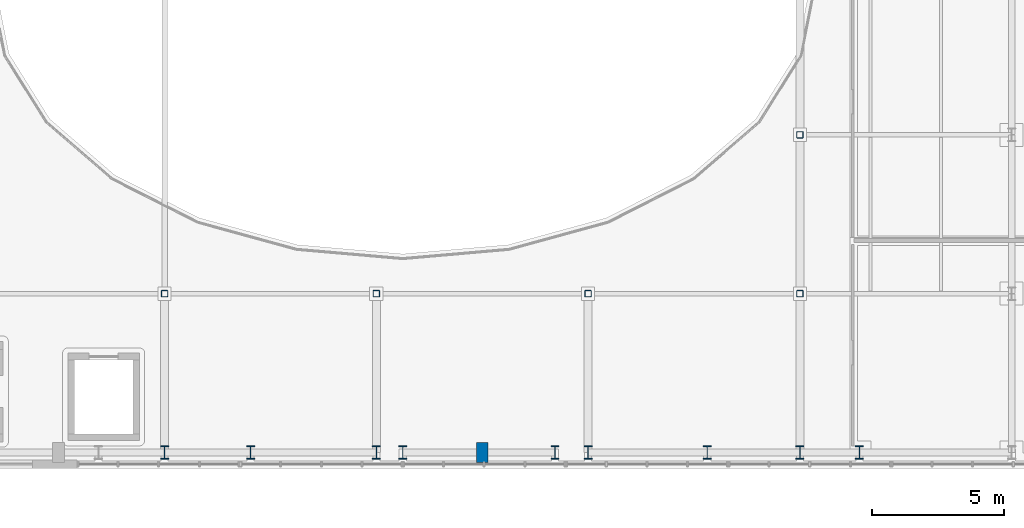
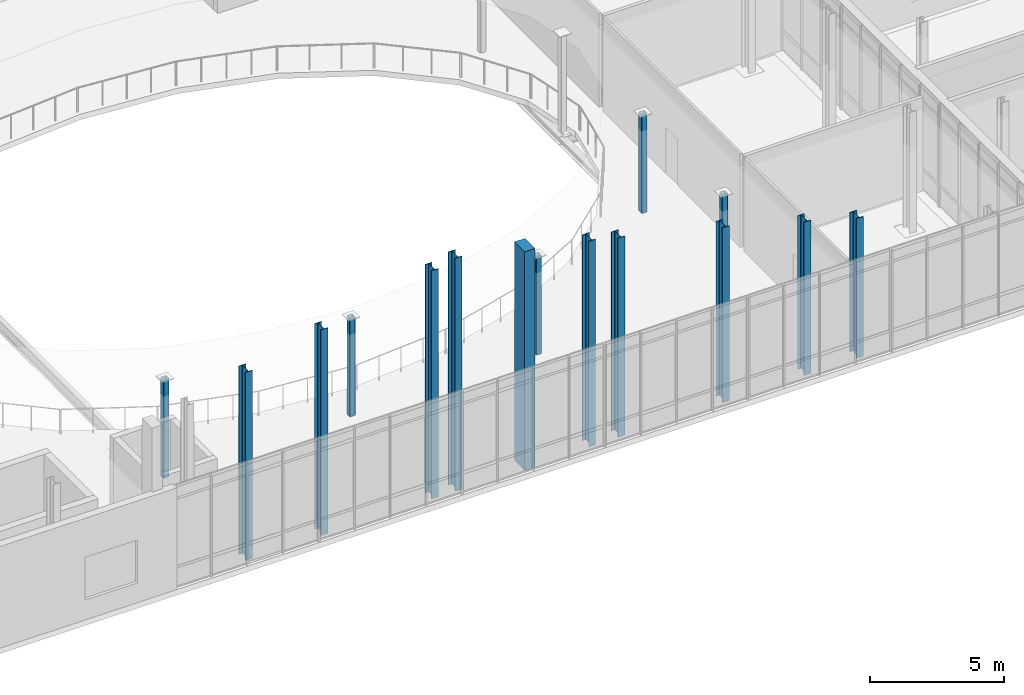
# One storey, part 4 of 86: 15 columns.
"""IFC4 building model written with IfcOpenShell, lengths in metres."""

import ifcopenshell
import ifcopenshell.guid

model = None  # the IFC model being written
_history = None  # IfcOwnerHistory: only IFC2X3 demands one
_inside = {}  # id of a spatial element -> (the spatial element, [elements in it])
_under = {}  # id of a project, library or spatial element -> (it, [spatial elements below it])
_declared = {}  # id of a project -> (the project, [libraries it declares])
_typed = {}  # id of a type object -> (the type object, [elements of that type])
_made_of = {}  # id of a material, layer set ... -> (it, [elements and type objects made of it])


def new_model(schema):
    """Start an empty IFC model of exactly this schema.

    Asked for "IFC4X3", IfcOpenShell would pick the latest addendum, in which some entities
    have other attributes; the version numbers below select the first issue.
    IFC2X3 requires an IfcOwnerHistory on every rooted entity: one is made here for all.
    """
    global model, _history
    if schema == "IFC4X3":
        model = ifcopenshell.file(schema_version=(4, 3, 0, 0))
    else:
        model = ifcopenshell.file(schema=schema)
    _inside.clear()
    _under.clear()
    _declared.clear()
    _typed.clear()
    _made_of.clear()
    _history = None
    if model.schema == "IFC2X3":
        org = make("IfcOrganization", Name="unknown")
        user = make(
            "IfcPersonAndOrganization",
            ThePerson=make("IfcPerson", FamilyName="unknown"),
            TheOrganization=org,
        )
        app = make(
            "IfcApplication",
            ApplicationDeveloper=org,
            Version="unknown",
            ApplicationFullName="unknown",
            ApplicationIdentifier="unknown",
        )
        _history = make(
            "IfcOwnerHistory",
            OwningUser=user,
            OwningApplication=app,
            ChangeAction="ADDED",
            CreationDate=0,
        )
    return model


def make(cls, **values):
    """One entity of the class cls with the attributes given. An attribute that is None is left unset."""
    return model.create_entity(
        cls, **{name: value for name, value in values.items() if value is not None}
    )


def rooted(cls, **values):
    """An entity with a GlobalId (a new one), such as an element, a storey or a relation."""
    return make(cls, GlobalId=ifcopenshell.guid.new(), OwnerHistory=_history, **values)


def si_unit(unit_type, name, prefix=None):
    """IfcSIUnit, for example si_unit("LENGTHUNIT", "METRE", prefix="MILLI")."""
    return make("IfcSIUnit", UnitType=unit_type, Prefix=prefix, Name=name)


def assignment(units):
    """IfcUnitAssignment: the units of a project."""
    return None if units is None else make("IfcUnitAssignment", Units=units)


def point(xyz):
    """IfcCartesianPoint."""
    return None if xyz is None else make("IfcCartesianPoint", Coordinates=xyz)


def direction(xyz):
    """IfcDirection."""
    return None if xyz is None else make("IfcDirection", DirectionRatios=xyz)


def frame(location, z_axis=None, x_axis=None):
    """IfcAxis2Placement3D, a coordinate frame: its origin and axes. An axis left out is left unset."""
    return make(
        "IfcAxis2Placement3D",
        Location=point(location),
        Axis=direction(z_axis),
        RefDirection=direction(x_axis),
    )


def frame_2d(location, x_axis=None):
    """IfcAxis2Placement2D, a coordinate frame in the plane: its origin and x axis."""
    return make(
        "IfcAxis2Placement2D", Location=point(location), RefDirection=direction(x_axis)
    )


def origin():
    """The frame at (0, 0, 0) with its axes left unset."""
    return frame((0.0, 0.0, 0.0))


def origin_2d():
    """The frame at (0, 0) in the plane with its x axis left unset."""
    return frame_2d((0.0, 0.0))


def place(relative_to, where):
    """IfcLocalPlacement: puts the frame where relative to a parent placement (None: the world)."""
    return make(
        "IfcLocalPlacement", PlacementRelTo=relative_to, RelativePlacement=where
    )


def context(
    kind, dimensions, precision=None, world=None, true_north=None, identifier=None
):
    """IfcGeometricRepresentationContext, for example the 3D "Model" context."""
    return make(
        "IfcGeometricRepresentationContext",
        ContextIdentifier=identifier,
        ContextType=kind,
        CoordinateSpaceDimension=dimensions,
        Precision=precision,
        WorldCoordinateSystem=world,
        TrueNorth=true_north,
    )


def subcontext(parent, identifier, kind, view, scale=None):
    """IfcGeometricRepresentationSubContext, for example "Body" below "Model"."""
    return make(
        "IfcGeometricRepresentationSubContext",
        ContextIdentifier=identifier,
        ContextType=kind,
        ParentContext=parent,
        TargetScale=scale,
        TargetView=view,
    )


def project(units=None, contexts=None):
    """IfcProject with its units and contexts."""
    return rooted(
        "IfcProject",
        Name="project",
        RepresentationContexts=contexts,
        UnitsInContext=assignment(units),
    )


def spatial(cls, under=None, at=None, **own):
    """A site, building, storey or space (cls), placed at a placement, below another one or the project."""
    s = rooted(cls, ObjectPlacement=at, **own)
    if under is not None:
        _under.setdefault(under.id(), (under, []))[1].append(s)
    return s


def profile(cls, at=None, kind="AREA", **sizes):
    """A parametric profile (cls). Its sizes go by their IFC names, for example OverallWidth=200.0."""
    return make(cls, ProfileType=kind, Position=at, **sizes)


def rectangle(**sizes):
    """IfcRectangleProfileDef."""
    return profile("IfcRectangleProfileDef", **sizes)


def hollow_rectangle(**sizes):
    """IfcRectangleHollowProfileDef."""
    return profile("IfcRectangleHollowProfileDef", **sizes)


def i_section(**sizes):
    """IfcIShapeProfileDef."""
    return profile("IfcIShapeProfileDef", **sizes)


def extrude(swept, where, along, depth):
    """IfcExtrudedAreaSolid: the profile swept, set in the frame where, extruded along a direction by depth."""
    return make(
        "IfcExtrudedAreaSolid",
        SweptArea=swept,
        Position=where,
        ExtrudedDirection=direction(along),
        Depth=depth,
    )


def shape(context_of_items, identifier, shape_type, items):
    """IfcShapeRepresentation: the items that make up one representation, for example the "Body"."""
    return make(
        "IfcShapeRepresentation",
        ContextOfItems=context_of_items,
        RepresentationIdentifier=identifier,
        RepresentationType=shape_type,
        Items=items,
    )


def material(Name=None, Category=None):
    """IfcMaterial."""
    return make("IfcMaterial", Name=Name, Category=Category)


def material_profile(
    of_material, cross_section, Name=None, Category=None, Priority=None
):
    """IfcMaterialProfile: a cross section and its material."""
    return make(
        "IfcMaterialProfile",
        Name=Name,
        Material=of_material,
        Profile=cross_section,
        Priority=Priority,
        Category=Category,
    )


def profile_set(profiles, Name=None, composite=None):
    """IfcMaterialProfileSet."""
    return make(
        "IfcMaterialProfileSet",
        Name=Name,
        MaterialProfiles=profiles,
        CompositeProfile=composite,
    )


def made_of(thing, what):
    """Note that an element or type object is made of a material, layer set ...; save() writes the relation."""
    if what is not None:
        _made_of.setdefault(what.id(), (what, []))[1].append(thing)
    return thing


def type_object(cls, material=None, **own):
    """A type object (cls), such as IfcWallType, which elements share."""
    return made_of(rooted(cls, **own), material)


def element(
    cls,
    number,
    at=None,
    inside=None,
    cuts=None,
    type_object=None,
    material=None,
    context=None,
    identifier="Body",
    shape_type=None,
    held_by="IfcProductDefinitionShape",
    body=None,
    shapes=None,
    **own,
):
    """One element of the class cls, such as IfcWall. Its Tag is "e" and its number.

    at: its placement. inside: the storey or other place that contains it. cuts: it is an
    opening in that element (IfcRelVoidsElement). A single representation is given by context,
    identifier, shape_type and body (its items); several are given by shapes. held_by: the class
    of the entity that holds the representations. save() writes the other relations.
    """
    e = rooted(cls, Tag="e%d" % number, ObjectPlacement=at, **own)
    if body is not None:
        shapes = [shape(context, identifier, shape_type, body)]
    if shapes is not None:
        e.Representation = make(held_by, Representations=shapes)
    if inside is not None:
        _inside.setdefault(inside.id(), (inside, []))[1].append(e)
    if cuts is not None:
        rooted(
            "IfcRelVoidsElement", RelatingBuildingElement=cuts, RelatedOpeningElement=e
        )
    if type_object is not None:
        _typed.setdefault(type_object.id(), (type_object, []))[1].append(e)
    return made_of(e, material)


def aggregate(whole, parts):
    """IfcRelAggregates: a whole, such as a stair, and the parts it consists of."""
    return rooted("IfcRelAggregates", RelatingObject=whole, RelatedObjects=parts)


def save(model, path):
    """Write the relations noted so far, then the file.

    IfcRelAggregates (storeys below a building ...), IfcRelContainedInSpatialStructure (elements
    in a storey), IfcRelDefinesByType, IfcRelAssociatesMaterial and IfcRelDeclares: one each for
    every whole, place, type object, material and project.
    """
    for whole, parts in _under.values():
        aggregate(whole, parts)
    for where, things in _inside.values():
        rooted(
            "IfcRelContainedInSpatialStructure",
            RelatedElements=things,
            RelatingStructure=where,
        )
    for kind, things in _typed.values():
        rooted("IfcRelDefinesByType", RelatedObjects=things, RelatingType=kind)
    for what, things in _made_of.values():
        rooted("IfcRelAssociatesMaterial", RelatedObjects=things, RelatingMaterial=what)
    for by, libraries in _declared.values():
        rooted("IfcRelDeclares", RelatingContext=by, RelatedDefinitions=libraries)
    model.write(path)


model = new_model("IFC4")

# Units and contexts
model_context = context("Model", 3, precision=1e-05, world=origin(), true_north=direction((0.0, 1.0)))
body_context = subcontext(model_context, "Body", "Model", "MODEL_VIEW")
ifc_project = project(units=[si_unit("LENGTHUNIT", "METRE"), si_unit("AREAUNIT", "SQUARE_METRE"), si_unit("VOLUMEUNIT", "CUBIC_METRE"), si_unit("PLANEANGLEUNIT", "RADIAN"), si_unit("MASSUNIT", "GRAM", prefix="KILO")], contexts=[model_context])

# Site, building, storey
site_placement = place(None, origin())
site = spatial("IfcSite", under=ifc_project, at=site_placement, CompositionType="ELEMENT")
building_placement = place(site_placement, origin())
building = spatial("IfcBuilding", under=site, at=building_placement, Name="Cymarion Research Institute", CompositionType="ELEMENT")
storey_placement = place(building_placement, frame((0.0, 0.0, 13.800048828125)))
storey = spatial("IfcBuildingStorey", under=building, at=storey_placement, Name="L03", CompositionType="ELEMENT", Elevation=13.800048828125)

# Columns
ifc_material_1 = material(Name="Concrete C40/50", Category="concrete")
ifc_material_profile_1 = material_profile(ifc_material_1, rectangle(XDim=0.449951171875, YDim=0.75, at=origin_2d()), Name="RC 450x750")
ifc_profile_set_1 = profile_set([ifc_material_profile_1], Name="Concrete C40/50")
column_type_1 = type_object("IfcColumnType", Name="CONCRETE PILASTER PL03 RC 450x750", PredefinedType="PILASTER", material=ifc_profile_set_1)
column_1_placement = place(storey_placement, frame((82.60009765625, 5.5, 0.0), z_axis=(0.0, 0.0, 1.0), x_axis=(1.0, 0.0, 0.0)))
element("IfcColumn", 1, at=column_1_placement, inside=storey, type_object=column_type_1, Name="L03 V2 column PL03 #952", PredefinedType="PILASTER", context=body_context, shape_type="SweptSolid", body=[
    extrude(rectangle(XDim=0.449951171875, YDim=0.75, at=origin_2d()), origin(), (0.0, 0.0, 1.0), 9.930908203125),
])
ifc_material_2 = material(Name="Steel S355", Category="steel")
ifc_material_profile_2 = material_profile(ifc_material_2, i_section(OverallWidth=0.300048828125, OverallDepth=0.5, WebThickness=0.014404296875, FlangeThickness=0.028076171875, FilletRadius=0.027099609375, at=origin_2d()), Name="HEB 500")
ifc_profile_set_2 = profile_set([ifc_material_profile_2], Name="Steel S355")
column_type_2 = type_object("IfcColumnType", Name="STRUCTURAL COLUMN C04 HEB 500", PredefinedType="COLUMN", material=ifc_profile_set_2)
column_2_placement = place(storey_placement, frame((70.60009765625, 5.5, 0.0), z_axis=(0.0, 0.0, 1.0), x_axis=(1.0, 0.0, 0.0)))
element("IfcColumn", 2, at=column_2_placement, inside=storey, type_object=column_type_2, Name="L03 V2 column C04 #941", PredefinedType="COLUMN", context=body_context, shape_type="SweptSolid", body=[
    extrude(i_section(OverallWidth=0.300048828125, OverallDepth=0.5, WebThickness=0.014404296875, FlangeThickness=0.028076171875, FilletRadius=0.027099609375, at=origin_2d()), origin(), (0.0, 0.0, 1.0), 8.546630859375),
])
column_3_placement = place(storey_placement, frame((73.85009765625, 5.5, 0.0), z_axis=(0.0, 0.0, 1.0), x_axis=(1.0, 0.0, 0.0)))
element("IfcColumn", 3, at=column_3_placement, inside=storey, type_object=column_type_2, Name="L03 V2 column C04 #945", PredefinedType="COLUMN", context=body_context, shape_type="SweptSolid", body=[
    extrude(i_section(OverallWidth=0.300048828125, OverallDepth=0.5, WebThickness=0.014404296875, FlangeThickness=0.028076171875, FilletRadius=0.027099609375, at=origin_2d()), origin(), (0.0, 0.0, 1.0), 9.337890625),
])
column_4_placement = place(storey_placement, frame((78.60009765625, 5.5, 0.0), z_axis=(0.0, 0.0, 1.0), x_axis=(1.0, 0.0, 0.0)))
element("IfcColumn", 4, at=column_4_placement, inside=storey, type_object=column_type_2, Name="L03 V2 column C04 #947", PredefinedType="COLUMN", context=body_context, shape_type="SweptSolid", body=[
    extrude(i_section(OverallWidth=0.300048828125, OverallDepth=0.5, WebThickness=0.014404296875, FlangeThickness=0.028076171875, FilletRadius=0.027099609375, at=origin_2d()), origin(), (0.0, 0.0, 1.0), 10.3623046875),
])
column_5_placement = place(storey_placement, frame((79.60009765625, 5.5, 0.0), z_axis=(0.0, 0.0, 1.0), x_axis=(1.0, 0.0, 0.0)))
element("IfcColumn", 5, at=column_5_placement, inside=storey, type_object=column_type_2, Name="L03 V2 column C04 #950", PredefinedType="COLUMN", context=body_context, shape_type="SweptSolid", body=[
    extrude(i_section(OverallWidth=0.300048828125, OverallDepth=0.5, WebThickness=0.014404296875, FlangeThickness=0.028076171875, FilletRadius=0.027099609375, at=origin_2d()), origin(), (0.0, 0.0, 1.0), 10.577880859375),
])
column_6_placement = place(storey_placement, frame((85.35009765625, 5.5, 0.0), z_axis=(0.0, 0.0, 1.0), x_axis=(1.0, 0.0, 0.0)))
element("IfcColumn", 6, at=column_6_placement, inside=storey, type_object=column_type_2, Name="L03 V2 column C04 #953", PredefinedType="COLUMN", context=body_context, shape_type="SweptSolid", body=[
    extrude(i_section(OverallWidth=0.300048828125, OverallDepth=0.5, WebThickness=0.014404296875, FlangeThickness=0.028076171875, FilletRadius=0.027099609375, at=origin_2d()), origin(), (0.0, 0.0, 1.0), 9.337890625),
])
column_7_placement = place(storey_placement, frame((86.60009765625, 5.5, 0.0), z_axis=(0.0, 0.0, 1.0), x_axis=(1.0, 0.0, 0.0)))
element("IfcColumn", 7, at=column_7_placement, inside=storey, type_object=column_type_2, Name="L03 V2 column C04 #955", PredefinedType="COLUMN", context=body_context, shape_type="SweptSolid", body=[
    extrude(i_section(OverallWidth=0.300048828125, OverallDepth=0.5, WebThickness=0.014404296875, FlangeThickness=0.028076171875, FilletRadius=0.027099609375, at=origin_2d()), origin(), (0.0, 0.0, 1.0), 9.03369140625),
])
column_8_placement = place(storey_placement, frame((91.10009765625, 5.5, 0.0), z_axis=(0.0, 0.0, 1.0), x_axis=(1.0, 0.0, 0.0)))
element("IfcColumn", 8, at=column_8_placement, inside=storey, type_object=column_type_2, Name="L03 V2 column C04 #958", PredefinedType="COLUMN", context=body_context, shape_type="SweptSolid", body=[
    extrude(i_section(OverallWidth=0.300048828125, OverallDepth=0.5, WebThickness=0.014404296875, FlangeThickness=0.028076171875, FilletRadius=0.027099609375, at=origin_2d()), origin(), (0.0, 0.0, 1.0), 7.93798828125),
])
column_9_placement = place(storey_placement, frame((94.60009765625, 5.5, 0.0), z_axis=(0.0, 0.0, 1.0), x_axis=(1.0, 0.0, 0.0)))
element("IfcColumn", 9, at=column_9_placement, inside=storey, type_object=column_type_2, Name="L03 V2 column C04 #960", PredefinedType="COLUMN", context=body_context, shape_type="SweptSolid", body=[
    extrude(i_section(OverallWidth=0.300048828125, OverallDepth=0.5, WebThickness=0.014404296875, FlangeThickness=0.028076171875, FilletRadius=0.027099609375, at=origin_2d()), origin(), (0.0, 0.0, 1.0), 6.964111328125),
])
column_10_placement = place(storey_placement, frame((96.85009765625, 5.5, 0.0), z_axis=(0.0, 0.0, 1.0), x_axis=(1.0, 0.0, 0.0)))
element("IfcColumn", 10, at=column_10_placement, inside=storey, type_object=column_type_2, Name="L03 V2 column C04 #966", PredefinedType="COLUMN", context=body_context, shape_type="SweptSolid", body=[
    extrude(i_section(OverallWidth=0.300048828125, OverallDepth=0.5, WebThickness=0.014404296875, FlangeThickness=0.028076171875, FilletRadius=0.027099609375, at=origin_2d()), origin(), (0.0, 0.0, 1.0), 6.337890625),
])
ifc_material_profile_3 = material_profile(ifc_material_2, hollow_rectangle(XDim=0.25, YDim=0.25, WallThickness=0.012451171875, InnerFilletRadius=0.018798828125, OuterFilletRadius=0.03125, at=origin_2d()), Name="SHS 250x250x12.5")
ifc_profile_set_3 = profile_set([ifc_material_profile_3], Name="Steel S355")
column_type_3 = type_object("IfcColumnType", Name="STRUCTURAL COLUMN C15 SHS 250x250x12.5", PredefinedType="COLUMN", material=ifc_profile_set_3)
for number, where, z_axis, x_axis, name in (
    (11, (70.60009765625, 11.5, 0.0), (0.0, 0.0, 1.0), (1.0, 0.0, 0.0), "L03 V2 column C15 #942"),
    (12, (78.60009765625, 11.5, 0.0), (0.0, 0.0, 1.0), (1.0, 0.0, 0.0), "L03 V2 column C15 #948"),
    (13, (86.60009765625, 11.5, 0.0), (0.0, 0.0, 1.0), (1.0, 0.0, 0.0), "L03 V2 column C15 #956"),
    (14, (94.60009765625, 11.5, 0.0), (0.0, 0.0, 1.0), (1.0, 0.0, 0.0), "L03 V2 column C15 #961"),
    (15, (94.60009765625, 17.5, 0.0), (0.0, 0.0, 1.0), (1.0, 0.0, 0.0), "L03 V2 column C15 #962"),
):
    element("IfcColumn", number, at=place(storey_placement, frame(where, z_axis=z_axis, x_axis=x_axis)), inside=storey, type_object=column_type_3, Name=name, PredefinedType="COLUMN", context=body_context, shape_type="SweptSolid", body=[
        extrude(hollow_rectangle(XDim=0.25, YDim=0.25, WallThickness=0.012451171875, InnerFilletRadius=0.018798828125, OuterFilletRadius=0.03125, at=origin_2d()), origin(), (0.0, 0.0, 1.0), 4.469970703125),
    ])

save(model, "model.ifc")
